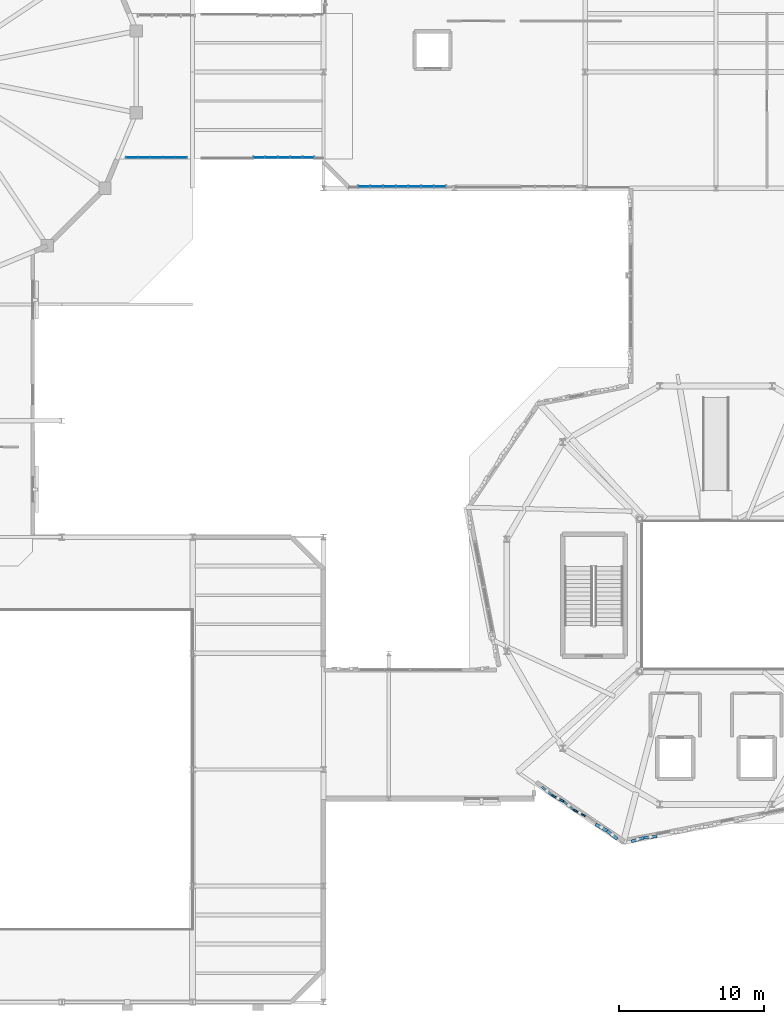
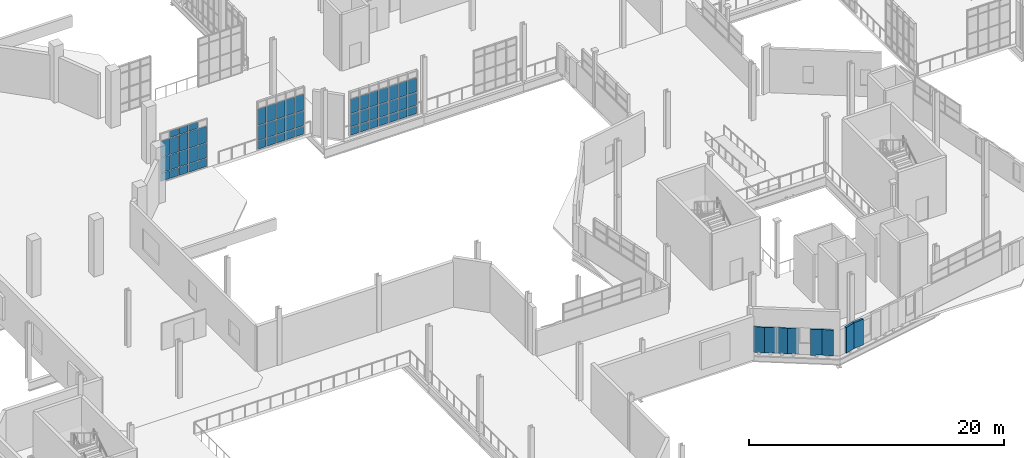
# One storey, part 104 of 142: 62 plates, 3 elements without a shape of their own.
"""IFC4 building model written with IfcOpenShell, lengths in metres."""

from ifc_helpers import new_model, si_unit, direction, frame, frame_2d, origin, origin_2d, place, context, subcontext, project, spatial, rectangle, extrude, material, layer, layer_set, type_object, element, aggregate, save


model = new_model("IFC4")

# Units and contexts
model_context = context("Model", 3, precision=1e-05, world=origin(), true_north=direction((0.0, 1.0)))
body_context = subcontext(model_context, "Body", "Model", "MODEL_VIEW")
ifc_project = project(units=[si_unit("LENGTHUNIT", "METRE"), si_unit("AREAUNIT", "SQUARE_METRE"), si_unit("VOLUMEUNIT", "CUBIC_METRE"), si_unit("PLANEANGLEUNIT", "RADIAN"), si_unit("MASSUNIT", "GRAM", prefix="KILO"), si_unit("THERMODYNAMICTEMPERATUREUNIT", "KELVIN"), si_unit("POWERUNIT", "WATT")], contexts=[model_context])

# Site, building, storey
site_placement = place(None, origin())
site = spatial("IfcSite", under=ifc_project, at=site_placement, CompositionType="ELEMENT")
building_placement = place(site_placement, origin())
building = spatial("IfcBuilding", under=site, at=building_placement, Name="Zelmaris Science Centre", CompositionType="ELEMENT")
storey_placement = place(building_placement, frame((0.0, 0.0, 5.39990234375)))
storey = spatial("IfcBuildingStorey", under=building, at=storey_placement, Name="L01", CompositionType="ELEMENT", Elevation=5.39990234375)

# Curtain wall, plates
ifc_material_1 = material(Name="Anodised architectural aluminium 6063-T6", Category="aluminium")
ifc_layer_1 = layer(ifc_material_1, 0.18994140625, Name="Anodised architectural aluminium 6063-T6")
ifc_layer_set_1 = layer_set([ifc_layer_1], Name="Anodised architectural aluminium 6063-T6")
curtain_wall_type_1 = type_object("IfcCurtainWallType", Name="Curtain Wall CW-01", PredefinedType="USERDEFINED", material=ifc_layer_set_1)
curtain_wall_1_placement = place(storey_placement, origin())
curtain_wall_1 = element("IfcCurtainWall", 1, at=curtain_wall_1_placement, inside=storey, type_object=curtain_wall_type_1, Name="L01 Unitised curtain wall 197", ObjectType="GLAZED CURTAIN WALL", PredefinedType="USERDEFINED")
ifc_material_2 = material(Name="Laminated hurricane-rated low-E insulated glazing", Category="glass")
ifc_layer_2 = layer(ifc_material_2, 0.031982421875, Name="Laminated hurricane-rated low-E insulated glazing")
ifc_layer_set_2 = layer_set([ifc_layer_2], Name="Laminated hurricane-rated low-E insulated glazing")
plate_type_1 = type_object("IfcPlateType", Name="Curtain Glazing Panel CWP-1 32mm", PredefinedType="CURTAIN_PANEL", material=ifc_layer_set_2)
plate_1_placement = place(storey_placement, frame((62.0048828125, 64.1142578125, 0.05712890625), z_axis=(0.0, 0.0, 1.0), x_axis=(-0.999999566273, 0.000931372149, 0.0)))
plate_1 = element("IfcPlate", 2, at=plate_1_placement, type_object=plate_type_1, Name="CW-01 panel 1.1", PredefinedType="CURTAIN_PANEL", context=body_context, shape_type="SweptSolid", body=[
    extrude(rectangle(XDim=0.766357421875, YDim=0.031982421875, at=origin_2d()), origin(), (0.0, 0.0, 1.0), 0.741943359375),
])
plate_2_placement = place(storey_placement, frame((62.0048828125, 64.1142578125, 0.87109375), z_axis=(0.0, 0.0, 1.0), x_axis=(-0.999999566273, 0.000931372149, 0.0)))
plate_2 = element("IfcPlate", 3, at=plate_2_placement, type_object=plate_type_1, Name="CW-01 panel 1.2", PredefinedType="CURTAIN_PANEL", context=body_context, shape_type="SweptSolid", body=[
    extrude(rectangle(XDim=0.766357421875, YDim=0.031982421875, at=origin_2d()), origin(), (0.0, 0.0, 1.0), 1.20751953125),
])
plate_3_placement = place(storey_placement, frame((62.0048828125, 64.1142578125, 2.150634765625), z_axis=(0.0, 0.0, 1.0), x_axis=(-0.999999566273, 0.000931372149, 0.0)))
plate_3 = element("IfcPlate", 4, at=plate_3_placement, type_object=plate_type_1, Name="CW-01 panel 1.3", PredefinedType="CURTAIN_PANEL", context=body_context, shape_type="SweptSolid", body=[
    extrude(rectangle(XDim=0.766357421875, YDim=0.031982421875, at=origin_2d()), origin(), (0.0, 0.0, 1.0), 1.357421875),
])
plate_4_placement = place(storey_placement, frame((61.148681640625, 64.115234375, 0.05712890625), z_axis=(0.0, 0.0, 1.0), x_axis=(-0.999999566273, 0.000931372149, 0.0)))
plate_4 = element("IfcPlate", 5, at=plate_4_placement, type_object=plate_type_1, Name="CW-01 panel 2.1", PredefinedType="CURTAIN_PANEL", context=body_context, shape_type="SweptSolid", body=[
    extrude(rectangle(XDim=0.80224609375, YDim=0.031982421875, at=origin_2d()), origin(), (0.0, 0.0, 1.0), 0.741943359375),
])
plate_5_placement = place(storey_placement, frame((61.148681640625, 64.115234375, 0.87109375), z_axis=(0.0, 0.0, 1.0), x_axis=(-0.999999566273, 0.000931372149, 0.0)))
plate_5 = element("IfcPlate", 6, at=plate_5_placement, type_object=plate_type_1, Name="CW-01 panel 2.2", PredefinedType="CURTAIN_PANEL", context=body_context, shape_type="SweptSolid", body=[
    extrude(rectangle(XDim=0.80224609375, YDim=0.031982421875, at=origin_2d()), origin(), (0.0, 0.0, 1.0), 1.20751953125),
])
plate_6_placement = place(storey_placement, frame((61.148681640625, 64.115234375, 2.150634765625), z_axis=(0.0, 0.0, 1.0), x_axis=(-0.999999566273, 0.000931372149, 0.0)))
plate_6 = element("IfcPlate", 7, at=plate_6_placement, type_object=plate_type_1, Name="CW-01 panel 2.3", PredefinedType="CURTAIN_PANEL", context=body_context, shape_type="SweptSolid", body=[
    extrude(rectangle(XDim=0.80224609375, YDim=0.031982421875, at=origin_2d()), origin(), (0.0, 0.0, 1.0), 1.357421875),
])
plate_7_placement = place(storey_placement, frame((60.2744140625, 64.115966796875, 0.05712890625), z_axis=(0.0, 0.0, 1.0), x_axis=(-0.999999566273, 0.000931372149, 0.0)))
plate_7 = element("IfcPlate", 8, at=plate_7_placement, type_object=plate_type_1, Name="CW-01 panel 3.1", PredefinedType="CURTAIN_PANEL", context=body_context, shape_type="SweptSolid", body=[
    extrude(rectangle(XDim=0.80224609375, YDim=0.031982421875, at=origin_2d()), origin(), (0.0, 0.0, 1.0), 0.741943359375),
])
plate_8_placement = place(storey_placement, frame((60.2744140625, 64.115966796875, 0.87109375), z_axis=(0.0, 0.0, 1.0), x_axis=(-0.999999566273, 0.000931372149, 0.0)))
plate_8 = element("IfcPlate", 9, at=plate_8_placement, type_object=plate_type_1, Name="CW-01 panel 3.2", PredefinedType="CURTAIN_PANEL", context=body_context, shape_type="SweptSolid", body=[
    extrude(rectangle(XDim=0.80224609375, YDim=0.031982421875, at=origin_2d()), origin(), (0.0, 0.0, 1.0), 1.20751953125),
])
plate_9_placement = place(storey_placement, frame((60.2744140625, 64.115966796875, 2.150634765625), z_axis=(0.0, 0.0, 1.0), x_axis=(-0.999999566273, 0.000931372149, 0.0)))
plate_9 = element("IfcPlate", 10, at=plate_9_placement, type_object=plate_type_1, Name="CW-01 panel 3.3", PredefinedType="CURTAIN_PANEL", context=body_context, shape_type="SweptSolid", body=[
    extrude(rectangle(XDim=0.80224609375, YDim=0.031982421875, at=origin_2d()), origin(), (0.0, 0.0, 1.0), 1.357421875),
])
plate_10_placement = place(storey_placement, frame((59.400146484375, 64.11669921875, 0.05712890625), z_axis=(0.0, 0.0, 1.0), x_axis=(-0.999999566273, 0.000931372149, 0.0)))
plate_10 = element("IfcPlate", 11, at=plate_10_placement, type_object=plate_type_1, Name="CW-01 panel 4.1", PredefinedType="CURTAIN_PANEL", context=body_context, shape_type="SweptSolid", body=[
    extrude(rectangle(XDim=0.80224609375, YDim=0.031982421875, at=origin_2d()), origin(), (0.0, 0.0, 1.0), 0.741943359375),
])
plate_11_placement = place(storey_placement, frame((59.400146484375, 64.11669921875, 0.87109375), z_axis=(0.0, 0.0, 1.0), x_axis=(-0.999999566273, 0.000931372149, 0.0)))
plate_11 = element("IfcPlate", 12, at=plate_11_placement, type_object=plate_type_1, Name="CW-01 panel 4.2", PredefinedType="CURTAIN_PANEL", context=body_context, shape_type="SweptSolid", body=[
    extrude(rectangle(XDim=0.80224609375, YDim=0.031982421875, at=origin_2d()), origin(), (0.0, 0.0, 1.0), 1.20751953125),
])
plate_12_placement = place(storey_placement, frame((59.400146484375, 64.11669921875, 2.150634765625), z_axis=(0.0, 0.0, 1.0), x_axis=(-0.999999566273, 0.000931372149, 0.0)))
plate_12 = element("IfcPlate", 13, at=plate_12_placement, type_object=plate_type_1, Name="CW-01 panel 4.3", PredefinedType="CURTAIN_PANEL", context=body_context, shape_type="SweptSolid", body=[
    extrude(rectangle(XDim=0.80224609375, YDim=0.031982421875, at=origin_2d()), origin(), (0.0, 0.0, 1.0), 1.357421875),
])
plate_13_placement = place(storey_placement, frame((58.52587890625, 64.11767578125, 0.05712890625), z_axis=(0.0, 0.0, 1.0), x_axis=(-0.999999566273, 0.000931372149, 0.0)))
plate_13 = element("IfcPlate", 14, at=plate_13_placement, type_object=plate_type_1, Name="CW-01 panel 5.1", PredefinedType="CURTAIN_PANEL", context=body_context, shape_type="SweptSolid", body=[
    extrude(rectangle(XDim=0.80224609375, YDim=0.031982421875, at=origin_2d()), origin(), (0.0, 0.0, 1.0), 0.741943359375),
])
plate_14_placement = place(storey_placement, frame((58.52587890625, 64.11767578125, 0.87109375), z_axis=(0.0, 0.0, 1.0), x_axis=(-0.999999566273, 0.000931372149, 0.0)))
plate_14 = element("IfcPlate", 15, at=plate_14_placement, type_object=plate_type_1, Name="CW-01 panel 5.2", PredefinedType="CURTAIN_PANEL", context=body_context, shape_type="SweptSolid", body=[
    extrude(rectangle(XDim=0.80224609375, YDim=0.031982421875, at=origin_2d()), origin(), (0.0, 0.0, 1.0), 1.20751953125),
])
plate_15_placement = place(storey_placement, frame((58.52587890625, 64.11767578125, 2.150634765625), z_axis=(0.0, 0.0, 1.0), x_axis=(-0.999999566273, 0.000931372149, 0.0)))
plate_15 = element("IfcPlate", 16, at=plate_15_placement, type_object=plate_type_1, Name="CW-01 panel 5.3", PredefinedType="CURTAIN_PANEL", context=body_context, shape_type="SweptSolid", body=[
    extrude(rectangle(XDim=0.80224609375, YDim=0.031982421875, at=origin_2d()), origin(), (0.0, 0.0, 1.0), 1.357421875),
])
plate_16_placement = place(storey_placement, frame((57.651611328125, 64.118408203125, 0.05712890625), z_axis=(0.0, 0.0, 1.0), x_axis=(-0.999999566273, 0.000931372149, 0.0)))
plate_16 = element("IfcPlate", 17, at=plate_16_placement, type_object=plate_type_1, Name="CW-01 panel 6.1", PredefinedType="CURTAIN_PANEL", context=body_context, shape_type="SweptSolid", body=[
    extrude(rectangle(XDim=0.80224609375, YDim=0.031982421875, at=origin_2d()), origin(), (0.0, 0.0, 1.0), 0.741943359375),
])
plate_17_placement = place(storey_placement, frame((57.651611328125, 64.118408203125, 0.87109375), z_axis=(0.0, 0.0, 1.0), x_axis=(-0.999999566273, 0.000931372149, 0.0)))
plate_17 = element("IfcPlate", 18, at=plate_17_placement, type_object=plate_type_1, Name="CW-01 panel 6.2", PredefinedType="CURTAIN_PANEL", context=body_context, shape_type="SweptSolid", body=[
    extrude(rectangle(XDim=0.80224609375, YDim=0.031982421875, at=origin_2d()), origin(), (0.0, 0.0, 1.0), 1.20751953125),
])
plate_18_placement = place(storey_placement, frame((57.651611328125, 64.118408203125, 2.150634765625), z_axis=(0.0, 0.0, 1.0), x_axis=(-0.999999566273, 0.000931372149, 0.0)))
plate_18 = element("IfcPlate", 19, at=plate_18_placement, type_object=plate_type_1, Name="CW-01 panel 6.3", PredefinedType="CURTAIN_PANEL", context=body_context, shape_type="SweptSolid", body=[
    extrude(rectangle(XDim=0.80224609375, YDim=0.031982421875, at=origin_2d()), origin(), (0.0, 0.0, 1.0), 1.357421875),
])
plate_19_placement = place(storey_placement, frame((56.795166015625, 64.119140625, 0.05712890625), z_axis=(0.0, 0.0, 1.0), x_axis=(-0.999999566273, 0.000931372149, 0.0)))
plate_19 = element("IfcPlate", 20, at=plate_19_placement, type_object=plate_type_1, Name="CW-01 panel 7.1", PredefinedType="CURTAIN_PANEL", context=body_context, shape_type="SweptSolid", body=[
    extrude(rectangle(XDim=0.766357421875, YDim=0.031982421875, at=origin_2d()), origin(), (0.0, 0.0, 1.0), 0.741943359375),
])
plate_20_placement = place(storey_placement, frame((56.795166015625, 64.119140625, 0.87109375), z_axis=(0.0, 0.0, 1.0), x_axis=(-0.999999566273, 0.000931372149, 0.0)))
plate_20 = element("IfcPlate", 21, at=plate_20_placement, type_object=plate_type_1, Name="CW-01 panel 7.2", PredefinedType="CURTAIN_PANEL", context=body_context, shape_type="SweptSolid", body=[
    extrude(rectangle(XDim=0.766357421875, YDim=0.031982421875, at=origin_2d()), origin(), (0.0, 0.0, 1.0), 1.20751953125),
])
plate_21_placement = place(storey_placement, frame((56.795166015625, 64.119140625, 2.150634765625), z_axis=(0.0, 0.0, 1.0), x_axis=(-0.999999566273, 0.000931372149, 0.0)))
plate_21 = element("IfcPlate", 22, at=plate_21_placement, type_object=plate_type_1, Name="CW-01 panel 7.3", PredefinedType="CURTAIN_PANEL", context=body_context, shape_type="SweptSolid", body=[
    extrude(rectangle(XDim=0.766357421875, YDim=0.031982421875, at=origin_2d()), origin(), (0.0, 0.0, 1.0), 1.357421875),
])
aggregate(curtain_wall_1, [plate_1, plate_2, plate_3, plate_4, plate_5, plate_6, plate_7, plate_8, plate_9, plate_10, plate_11, plate_12, plate_13, plate_14, plate_15, plate_16, plate_17, plate_18, plate_19, plate_20, plate_21])

ifc_layer_3 = layer(ifc_material_1, 0.199951171875, Name="Anodised architectural aluminium 6063-T6")
ifc_layer_set_3 = layer_set([ifc_layer_3], Name="Anodised architectural aluminium 6063-T6")
curtain_wall_type_2 = type_object("IfcCurtainWallType", Name="Curtain Wall CW-02", PredefinedType="USERDEFINED", material=ifc_layer_set_3)
curtain_wall_2_placement = place(storey_placement, origin())
curtain_wall_2 = element("IfcCurtainWall", 23, at=curtain_wall_2_placement, inside=storey, type_object=curtain_wall_type_2, Name="L01 Unitised curtain wall 198", ObjectType="GLAZED CURTAIN WALL", PredefinedType="USERDEFINED")
ifc_layer_4 = layer(ifc_material_2, 0.028076171875, Name="Laminated hurricane-rated low-E insulated glazing")
ifc_layer_set_4 = layer_set([ifc_layer_4], Name="Laminated hurricane-rated low-E insulated glazing")
plate_type_2 = type_object("IfcPlateType", Name="Curtain Glazing Panel CWP-2 28mm", PredefinedType="CURTAIN_PANEL", material=ifc_layer_set_4)
plate_22_placement = place(storey_placement, frame((52.962890625, 66.11962890625, 0.052001953125), z_axis=(0.0, 0.0, 1.0), x_axis=(-1.0, 0.0, 0.0)))
plate_22 = element("IfcPlate", 24, at=plate_22_placement, type_object=plate_type_2, Name="CW-02 panel 1.1", PredefinedType="CURTAIN_PANEL", context=body_context, shape_type="SweptSolid", body=[
    extrude(rectangle(XDim=0.752197265625, YDim=0.028076171875, at=origin_2d()), origin(), (0.0, 0.0, 1.0), 0.74951171875),
])
plate_23_placement = place(storey_placement, frame((52.962890625, 66.11962890625, 0.86865234375), z_axis=(0.0, 0.0, 1.0), x_axis=(-1.0, 0.0, 0.0)))
plate_23 = element("IfcPlate", 25, at=plate_23_placement, type_object=plate_type_2, Name="CW-02 panel 1.2", PredefinedType="CURTAIN_PANEL", context=body_context, shape_type="SweptSolid", body=[
    extrude(rectangle(XDim=0.752197265625, YDim=0.028076171875, at=origin_2d()), origin(), (0.0, 0.0, 1.0), 1.400390625),
])
plate_24_placement = place(storey_placement, frame((52.962890625, 66.11962890625, 2.3359375), z_axis=(0.0, 0.0, 1.0), x_axis=(-1.0, 0.0, 0.0)))
plate_24 = element("IfcPlate", 26, at=plate_24_placement, type_object=plate_type_2, Name="CW-02 panel 1.3", PredefinedType="CURTAIN_PANEL", context=body_context, shape_type="SweptSolid", body=[
    extrude(rectangle(XDim=0.752197265625, YDim=0.028076171875, at=origin_2d()), origin(), (0.0, 0.0, 1.0), 1.550537109375),
])
plate_25_placement = place(storey_placement, frame((52.126953125, 66.11962890625, 0.052001953125), z_axis=(0.0, 0.0, 1.0), x_axis=(-1.0, 0.0, 0.0)))
plate_25 = element("IfcPlate", 27, at=plate_25_placement, type_object=plate_type_2, Name="CW-02 panel 2.1", PredefinedType="CURTAIN_PANEL", context=body_context, shape_type="SweptSolid", body=[
    extrude(rectangle(XDim=0.78564453125, YDim=0.028076171875, at=origin_2d()), origin(), (0.0, 0.0, 1.0), 0.74951171875),
])
plate_26_placement = place(storey_placement, frame((52.126953125, 66.11962890625, 0.86865234375), z_axis=(0.0, 0.0, 1.0), x_axis=(-1.0, 0.0, 0.0)))
plate_26 = element("IfcPlate", 28, at=plate_26_placement, type_object=plate_type_2, Name="CW-02 panel 2.2", PredefinedType="CURTAIN_PANEL", context=body_context, shape_type="SweptSolid", body=[
    extrude(rectangle(XDim=0.78564453125, YDim=0.028076171875, at=origin_2d()), origin(), (0.0, 0.0, 1.0), 1.400390625),
])
plate_27_placement = place(storey_placement, frame((52.126953125, 66.11962890625, 2.3359375), z_axis=(0.0, 0.0, 1.0), x_axis=(-1.0, 0.0, 0.0)))
plate_27 = element("IfcPlate", 29, at=plate_27_placement, type_object=plate_type_2, Name="CW-02 panel 2.3", PredefinedType="CURTAIN_PANEL", context=body_context, shape_type="SweptSolid", body=[
    extrude(rectangle(XDim=0.78564453125, YDim=0.028076171875, at=origin_2d()), origin(), (0.0, 0.0, 1.0), 1.550537109375),
])
plate_28_placement = place(storey_placement, frame((51.274169921875, 66.11962890625, 0.052001953125), z_axis=(0.0, 0.0, 1.0), x_axis=(-1.0, 0.0, 0.0)))
plate_28 = element("IfcPlate", 30, at=plate_28_placement, type_object=plate_type_2, Name="CW-02 panel 3.1", PredefinedType="CURTAIN_PANEL", context=body_context, shape_type="SweptSolid", body=[
    extrude(rectangle(XDim=0.78564453125, YDim=0.028076171875, at=origin_2d()), origin(), (0.0, 0.0, 1.0), 0.74951171875),
])
plate_29_placement = place(storey_placement, frame((51.274169921875, 66.11962890625, 0.86865234375), z_axis=(0.0, 0.0, 1.0), x_axis=(-1.0, 0.0, 0.0)))
plate_29 = element("IfcPlate", 31, at=plate_29_placement, type_object=plate_type_2, Name="CW-02 panel 3.2", PredefinedType="CURTAIN_PANEL", context=body_context, shape_type="SweptSolid", body=[
    extrude(rectangle(XDim=0.78564453125, YDim=0.028076171875, at=origin_2d()), origin(), (0.0, 0.0, 1.0), 1.400390625),
])
plate_30_placement = place(storey_placement, frame((51.274169921875, 66.11962890625, 2.3359375), z_axis=(0.0, 0.0, 1.0), x_axis=(-1.0, 0.0, 0.0)))
plate_30 = element("IfcPlate", 32, at=plate_30_placement, type_object=plate_type_2, Name="CW-02 panel 3.3", PredefinedType="CURTAIN_PANEL", context=body_context, shape_type="SweptSolid", body=[
    extrude(rectangle(XDim=0.78564453125, YDim=0.028076171875, at=origin_2d()), origin(), (0.0, 0.0, 1.0), 1.550537109375),
])
plate_31_placement = place(storey_placement, frame((50.421630859375, 66.11962890625, 0.052001953125), z_axis=(0.0, 0.0, 1.0), x_axis=(-1.0, 0.0, 0.0)))
plate_31 = element("IfcPlate", 33, at=plate_31_placement, type_object=plate_type_2, Name="CW-02 panel 4.1", PredefinedType="CURTAIN_PANEL", context=body_context, shape_type="SweptSolid", body=[
    extrude(rectangle(XDim=0.78564453125, YDim=0.028076171875, at=origin_2d()), origin(), (0.0, 0.0, 1.0), 0.74951171875),
])
plate_32_placement = place(storey_placement, frame((50.421630859375, 66.11962890625, 0.86865234375), z_axis=(0.0, 0.0, 1.0), x_axis=(-1.0, 0.0, 0.0)))
plate_32 = element("IfcPlate", 34, at=plate_32_placement, type_object=plate_type_2, Name="CW-02 panel 4.2", PredefinedType="CURTAIN_PANEL", context=body_context, shape_type="SweptSolid", body=[
    extrude(rectangle(XDim=0.78564453125, YDim=0.028076171875, at=origin_2d()), origin(), (0.0, 0.0, 1.0), 1.400390625),
])
plate_33_placement = place(storey_placement, frame((50.421630859375, 66.11962890625, 2.3359375), z_axis=(0.0, 0.0, 1.0), x_axis=(-1.0, 0.0, 0.0)))
plate_33 = element("IfcPlate", 35, at=plate_33_placement, type_object=plate_type_2, Name="CW-02 panel 4.3", PredefinedType="CURTAIN_PANEL", context=body_context, shape_type="SweptSolid", body=[
    extrude(rectangle(XDim=0.78564453125, YDim=0.028076171875, at=origin_2d()), origin(), (0.0, 0.0, 1.0), 1.550537109375),
])
plate_34_placement = place(storey_placement, frame((49.585693359375, 66.11962890625, 0.052001953125), z_axis=(0.0, 0.0, 1.0), x_axis=(-1.0, 0.0, 0.0)))
plate_34 = element("IfcPlate", 36, at=plate_34_placement, type_object=plate_type_2, Name="CW-02 panel 5.1", PredefinedType="CURTAIN_PANEL", context=body_context, shape_type="SweptSolid", body=[
    extrude(rectangle(XDim=0.752197265625, YDim=0.028076171875, at=origin_2d()), origin(), (0.0, 0.0, 1.0), 0.74951171875),
])
plate_35_placement = place(storey_placement, frame((49.585693359375, 66.11962890625, 0.86865234375), z_axis=(0.0, 0.0, 1.0), x_axis=(-1.0, 0.0, 0.0)))
plate_35 = element("IfcPlate", 37, at=plate_35_placement, type_object=plate_type_2, Name="CW-02 panel 5.2", PredefinedType="CURTAIN_PANEL", context=body_context, shape_type="SweptSolid", body=[
    extrude(rectangle(XDim=0.752197265625, YDim=0.028076171875, at=origin_2d()), origin(), (0.0, 0.0, 1.0), 1.400390625),
])
plate_36_placement = place(storey_placement, frame((49.585693359375, 66.11962890625, 2.3359375), z_axis=(0.0, 0.0, 1.0), x_axis=(-1.0, 0.0, 0.0)))
plate_36 = element("IfcPlate", 38, at=plate_36_placement, type_object=plate_type_2, Name="CW-02 panel 5.3", PredefinedType="CURTAIN_PANEL", context=body_context, shape_type="SweptSolid", body=[
    extrude(rectangle(XDim=0.752197265625, YDim=0.028076171875, at=origin_2d()), origin(), (0.0, 0.0, 1.0), 1.550537109375),
])
aggregate(curtain_wall_2, [plate_22, plate_23, plate_24, plate_25, plate_26, plate_27, plate_28, plate_29, plate_30, plate_31, plate_32, plate_33, plate_34, plate_35, plate_36])

ifc_layer_5 = layer(ifc_material_1, 0.219970703125, Name="Anodised architectural aluminium 6063-T6")
ifc_layer_set_5 = layer_set([ifc_layer_5], Name="Anodised architectural aluminium 6063-T6")
curtain_wall_type_3 = type_object("IfcCurtainWallType", Name="Curtain Wall CW-04", PredefinedType="USERDEFINED", material=ifc_layer_set_5)
curtain_wall_3_placement = place(storey_placement, origin())
curtain_wall_3 = element("IfcCurtainWall", 39, at=curtain_wall_3_placement, inside=storey, type_object=curtain_wall_type_3, Name="L01 Unitised curtain wall 200", ObjectType="GLAZED CURTAIN WALL", PredefinedType="USERDEFINED")
ifc_layer_6 = layer(ifc_material_2, 0.02392578125, Name="Laminated hurricane-rated low-E insulated glazing")
ifc_layer_set_6 = layer_set([ifc_layer_6], Name="Laminated hurricane-rated low-E insulated glazing")
plate_type_3 = type_object("IfcPlateType", Name="Curtain Glazing Panel CWP-4 24mm", PredefinedType="CURTAIN_PANEL", material=ifc_layer_set_6)
plate_37_placement = place(storey_placement, frame((44.199951171875, 66.11962890625, 0.037109375), z_axis=(0.0, 0.0, 1.0), x_axis=(-1.0, 0.0, 0.0)))
plate_37 = element("IfcPlate", 40, at=plate_37_placement, type_object=plate_type_3, Name="CW-04 panel 1.1", PredefinedType="CURTAIN_PANEL", context=body_context, shape_type="SweptSolid", body=[
    extrude(rectangle(XDim=0.774658203125, YDim=0.02392578125, at=origin_2d()), origin(), (0.0, 0.0, 1.0), 0.77197265625),
])
plate_38_placement = place(storey_placement, frame((44.199951171875, 66.11962890625, 0.861083984375), z_axis=(0.0, 0.0, 1.0), x_axis=(-1.0, 0.0, 0.0)))
plate_38 = element("IfcPlate", 41, at=plate_38_placement, type_object=plate_type_3, Name="CW-04 panel 1.2", PredefinedType="CURTAIN_PANEL", context=body_context, shape_type="SweptSolid", body=[
    extrude(rectangle(XDim=0.774658203125, YDim=0.02392578125, at=origin_2d()), origin(), (0.0, 0.0, 1.0), 1.41552734375),
])
plate_39_placement = place(storey_placement, frame((44.199951171875, 66.11962890625, 2.32861328125), z_axis=(0.0, 0.0, 1.0), x_axis=(-1.0, 0.0, 0.0)))
plate_39 = element("IfcPlate", 42, at=plate_39_placement, type_object=plate_type_3, Name="CW-04 panel 1.3", PredefinedType="CURTAIN_PANEL", context=body_context, shape_type="SweptSolid", body=[
    extrude(rectangle(XDim=0.774658203125, YDim=0.02392578125, at=origin_2d()), origin(), (0.0, 0.0, 1.0), 1.5654296875),
])
plate_40_placement = place(storey_placement, frame((43.360107421875, 66.11962890625, 0.037109375), z_axis=(0.0, 0.0, 1.0), x_axis=(-1.0, 0.0, 0.0)))
plate_40 = element("IfcPlate", 43, at=plate_40_placement, type_object=plate_type_3, Name="CW-04 panel 2.1", PredefinedType="CURTAIN_PANEL", context=body_context, shape_type="SweptSolid", body=[
    extrude(rectangle(XDim=0.80078125, YDim=0.02392578125, at=origin_2d()), origin(), (0.0, 0.0, 1.0), 0.77197265625),
])
plate_41_placement = place(storey_placement, frame((43.360107421875, 66.11962890625, 0.861083984375), z_axis=(0.0, 0.0, 1.0), x_axis=(-1.0, 0.0, 0.0)))
plate_41 = element("IfcPlate", 44, at=plate_41_placement, type_object=plate_type_3, Name="CW-04 panel 2.2", PredefinedType="CURTAIN_PANEL", context=body_context, shape_type="SweptSolid", body=[
    extrude(rectangle(XDim=0.80078125, YDim=0.02392578125, at=origin_2d()), origin(), (0.0, 0.0, 1.0), 1.41552734375),
])
plate_42_placement = place(storey_placement, frame((43.360107421875, 66.11962890625, 2.32861328125), z_axis=(0.0, 0.0, 1.0), x_axis=(-1.0, 0.0, 0.0)))
plate_42 = element("IfcPlate", 45, at=plate_42_placement, type_object=plate_type_3, Name="CW-04 panel 2.3", PredefinedType="CURTAIN_PANEL", context=body_context, shape_type="SweptSolid", body=[
    extrude(rectangle(XDim=0.80078125, YDim=0.02392578125, at=origin_2d()), origin(), (0.0, 0.0, 1.0), 1.5654296875),
])
plate_43_placement = place(storey_placement, frame((43.360107421875, 66.11962890625, 3.946044921875), z_axis=(0.0, 0.0, 1.0), x_axis=(-1.0, 0.0, 0.0)))
plate_43 = element("IfcPlate", 46, at=plate_43_placement, type_object=plate_type_3, Name="CW-04 panel 2.4", PredefinedType="CURTAIN_PANEL", context=body_context, shape_type="SweptSolid", body=[
    extrude(rectangle(XDim=0.80078125, YDim=0.02392578125, at=origin_2d()), origin(), (0.0, 0.0, 1.0), 0.6220703125),
])
plate_44_placement = place(storey_placement, frame((42.507568359375, 66.11962890625, 0.037109375), z_axis=(0.0, 0.0, 1.0), x_axis=(-1.0, 0.0, 0.0)))
plate_44 = element("IfcPlate", 47, at=plate_44_placement, type_object=plate_type_3, Name="CW-04 panel 3.1", PredefinedType="CURTAIN_PANEL", context=body_context, shape_type="SweptSolid", body=[
    extrude(rectangle(XDim=0.80078125, YDim=0.02392578125, at=origin_2d()), origin(), (0.0, 0.0, 1.0), 0.77197265625),
])
plate_45_placement = place(storey_placement, frame((42.507568359375, 66.11962890625, 0.861083984375), z_axis=(0.0, 0.0, 1.0), x_axis=(-1.0, 0.0, 0.0)))
plate_45 = element("IfcPlate", 48, at=plate_45_placement, type_object=plate_type_3, Name="CW-04 panel 3.2", PredefinedType="CURTAIN_PANEL", context=body_context, shape_type="SweptSolid", body=[
    extrude(rectangle(XDim=0.80078125, YDim=0.02392578125, at=origin_2d()), origin(), (0.0, 0.0, 1.0), 1.41552734375),
])
plate_46_placement = place(storey_placement, frame((42.507568359375, 66.11962890625, 2.32861328125), z_axis=(0.0, 0.0, 1.0), x_axis=(-1.0, 0.0, 0.0)))
plate_46 = element("IfcPlate", 49, at=plate_46_placement, type_object=plate_type_3, Name="CW-04 panel 3.3", PredefinedType="CURTAIN_PANEL", context=body_context, shape_type="SweptSolid", body=[
    extrude(rectangle(XDim=0.80078125, YDim=0.02392578125, at=origin_2d()), origin(), (0.0, 0.0, 1.0), 1.5654296875),
])
plate_47_placement = place(storey_placement, frame((42.507568359375, 66.11962890625, 3.946044921875), z_axis=(0.0, 0.0, 1.0), x_axis=(-1.0, 0.0, 0.0)))
plate_47 = element("IfcPlate", 50, at=plate_47_placement, type_object=plate_type_3, Name="CW-04 panel 3.4", PredefinedType="CURTAIN_PANEL", context=body_context, shape_type="SweptSolid", body=[
    extrude(rectangle(XDim=0.80078125, YDim=0.02392578125, at=origin_2d()), origin(), (0.0, 0.0, 1.0), 0.6220703125),
])
plate_48_placement = place(storey_placement, frame((41.65478515625, 66.11962890625, 0.037109375), z_axis=(0.0, 0.0, 1.0), x_axis=(-1.0, 0.0, 0.0)))
plate_48 = element("IfcPlate", 51, at=plate_48_placement, type_object=plate_type_3, Name="CW-04 panel 4.1", PredefinedType="CURTAIN_PANEL", context=body_context, shape_type="SweptSolid", body=[
    extrude(rectangle(XDim=0.80078125, YDim=0.02392578125, at=origin_2d()), origin(), (0.0, 0.0, 1.0), 0.77197265625),
])
plate_49_placement = place(storey_placement, frame((41.65478515625, 66.11962890625, 0.861083984375), z_axis=(0.0, 0.0, 1.0), x_axis=(-1.0, 0.0, 0.0)))
plate_49 = element("IfcPlate", 52, at=plate_49_placement, type_object=plate_type_3, Name="CW-04 panel 4.2", PredefinedType="CURTAIN_PANEL", context=body_context, shape_type="SweptSolid", body=[
    extrude(rectangle(XDim=0.80078125, YDim=0.02392578125, at=origin_2d()), origin(), (0.0, 0.0, 1.0), 1.41552734375),
])
plate_50_placement = place(storey_placement, frame((41.65478515625, 66.11962890625, 2.32861328125), z_axis=(0.0, 0.0, 1.0), x_axis=(-1.0, 0.0, 0.0)))
plate_50 = element("IfcPlate", 53, at=plate_50_placement, type_object=plate_type_3, Name="CW-04 panel 4.3", PredefinedType="CURTAIN_PANEL", context=body_context, shape_type="SweptSolid", body=[
    extrude(rectangle(XDim=0.80078125, YDim=0.02392578125, at=origin_2d()), origin(), (0.0, 0.0, 1.0), 1.5654296875),
])
plate_51_placement = place(storey_placement, frame((41.65478515625, 66.11962890625, 3.946044921875), z_axis=(0.0, 0.0, 1.0), x_axis=(-1.0, 0.0, 0.0)))
plate_51 = element("IfcPlate", 54, at=plate_51_placement, type_object=plate_type_3, Name="CW-04 panel 4.4", PredefinedType="CURTAIN_PANEL", context=body_context, shape_type="SweptSolid", body=[
    extrude(rectangle(XDim=0.80078125, YDim=0.02392578125, at=origin_2d()), origin(), (0.0, 0.0, 1.0), 0.6220703125),
])
plate_52_placement = place(storey_placement, frame((40.815185546875, 66.11962890625, 0.037109375), z_axis=(0.0, 0.0, 1.0), x_axis=(-1.0, 0.0, 0.0)))
plate_52 = element("IfcPlate", 55, at=plate_52_placement, type_object=plate_type_3, Name="CW-04 panel 5.1", PredefinedType="CURTAIN_PANEL", context=body_context, shape_type="SweptSolid", body=[
    extrude(rectangle(XDim=0.774658203125, YDim=0.02392578125, at=origin_2d()), origin(), (0.0, 0.0, 1.0), 0.77197265625),
])
plate_53_placement = place(storey_placement, frame((40.815185546875, 66.11962890625, 0.861083984375), z_axis=(0.0, 0.0, 1.0), x_axis=(-1.0, 0.0, 0.0)))
plate_53 = element("IfcPlate", 56, at=plate_53_placement, type_object=plate_type_3, Name="CW-04 panel 5.2", PredefinedType="CURTAIN_PANEL", context=body_context, shape_type="SweptSolid", body=[
    extrude(rectangle(XDim=0.774658203125, YDim=0.02392578125, at=origin_2d()), origin(), (0.0, 0.0, 1.0), 1.41552734375),
])
plate_54_placement = place(storey_placement, frame((40.815185546875, 66.11962890625, 2.32861328125), z_axis=(0.0, 0.0, 1.0), x_axis=(-1.0, 0.0, 0.0)))
plate_54 = element("IfcPlate", 57, at=plate_54_placement, type_object=plate_type_3, Name="CW-04 panel 5.3", PredefinedType="CURTAIN_PANEL", context=body_context, shape_type="SweptSolid", body=[
    extrude(rectangle(XDim=0.774658203125, YDim=0.02392578125, at=origin_2d()), origin(), (0.0, 0.0, 1.0), 1.5654296875),
])
aggregate(curtain_wall_3, [plate_37, plate_38, plate_39, plate_40, plate_41, plate_42, plate_43, plate_44, plate_45, plate_46, plate_47, plate_48, plate_49, plate_50, plate_51, plate_52, plate_53, plate_54])

# Plates
ifc_material_3 = material(Name="Precast concrete C40/50", Category="concrete")
ifc_layer_7 = layer(ifc_material_3, 0.110107421875, Name="Precast concrete C40/50")
ifc_layer_set_7 = layer_set([ifc_layer_7], Name="Precast concrete C40/50")
plate_type_4 = type_object("IfcPlateType", Name="Precast Facet Panel FP-01 110mm", PredefinedType="SHEET", material=ifc_layer_set_7)
plate_55_placement = place(storey_placement, frame((72.013427734375, 20.800048828125, 0.02001953125), z_axis=(0.0, 0.0, 1.0), x_axis=(-0.882009036404, 0.471232490074, 0.0)))
element("IfcPlate", 58, at=plate_55_placement, inside=storey, type_object=plate_type_4, Name="L01 Folded precast facet panel 12", PredefinedType="SHEET", context=body_context, shape_type="SweptSolid", body=[
    extrude(rectangle(XDim=0.904541015625, YDim=0.110107421875, at=frame_2d((0.4521484375, 0.0))), origin(), (0.0, 0.0, 1.0), 2.4599609375),
])
ifc_layer_8 = layer(ifc_material_3, 0.1201171875, Name="Precast concrete C40/50")
ifc_layer_set_8 = layer_set([ifc_layer_8], Name="Precast concrete C40/50")
plate_type_5 = type_object("IfcPlateType", Name="Precast Facet Panel FP-02 120mm", PredefinedType="SHEET", material=ifc_layer_set_8)
plate_56_placement = place(storey_placement, frame((71.215576171875, 21.226318359375, 0.02001953125), z_axis=(0.0, 0.0, 1.0), x_axis=(-0.769016906552, 0.639228439165, 0.0)))
element("IfcPlate", 59, at=plate_56_placement, inside=storey, type_object=plate_type_5, Name="L01 Folded precast facet panel 13", PredefinedType="SHEET", context=body_context, shape_type="SweptSolid", body=[
    extrude(rectangle(XDim=0.90478515625, YDim=0.1201171875, at=frame_2d((0.452392578125, 0.0))), origin(), (0.0, 0.0, 1.0), 2.4599609375),
])
ifc_layer_9 = layer(ifc_material_3, 0.1298828125, Name="Precast concrete C40/50")
ifc_layer_set_9 = layer_set([ifc_layer_9], Name="Precast concrete C40/50")
plate_type_6 = type_object("IfcPlateType", Name="Precast Facet Panel FP-03 130mm", PredefinedType="SHEET", material=ifc_layer_set_9)
plate_57_placement = place(storey_placement, frame((70.519775390625, 21.8046875, 0.02001953125), z_axis=(0.0, 0.0, 1.0), x_axis=(-0.882181066687, 0.470910358326, 0.0)))
element("IfcPlate", 60, at=plate_57_placement, inside=storey, type_object=plate_type_6, Name="L01 Folded precast facet panel 14", PredefinedType="SHEET", context=body_context, shape_type="SweptSolid", body=[
    extrude(rectangle(XDim=0.90478515625, YDim=0.1298828125, at=frame_2d((0.452392578125, 0.0))), origin(), (0.0, 0.0, 1.0), 2.4599609375),
])
ifc_layer_10 = layer(ifc_material_3, 0.139892578125, Name="Precast concrete C40/50")
ifc_layer_set_10 = layer_set([ifc_layer_10], Name="Precast concrete C40/50")
plate_type_7 = type_object("IfcPlateType", Name="Precast Facet Panel FP-04 140mm", PredefinedType="SHEET", material=ifc_layer_set_10)
plate_58_placement = place(storey_placement, frame((69.7216796875, 22.230712890625, 0.02001953125), z_axis=(0.0, 0.0, 1.0), x_axis=(-0.768906615979, 0.639361099773, 0.0)))
element("IfcPlate", 61, at=plate_58_placement, inside=storey, type_object=plate_type_7, Name="L01 Folded precast facet panel 15", PredefinedType="SHEET", context=body_context, shape_type="SweptSolid", body=[
    extrude(rectangle(XDim=0.904541015625, YDim=0.139892578125, at=frame_2d((0.4521484375, 0.0))), origin(), (0.0, 0.0, 1.0), 2.4599609375),
])
ifc_layer_11 = layer(ifc_material_3, 0.18994140625, Name="Precast concrete C40/50")
ifc_layer_set_11 = layer_set([ifc_layer_11], Name="Precast concrete C40/50")
plate_type_8 = type_object("IfcPlateType", Name="Precast Facet Panel FP-09 190mm", PredefinedType="SHEET", material=ifc_layer_set_11)
plate_59_placement = place(storey_placement, frame((76.951904296875, 19.398681640625, 0.02001953125), z_axis=(0.0, 0.0, 1.0), x_axis=(-0.995928526987, -0.090146376155, 0.0)))
element("IfcPlate", 62, at=plate_59_placement, inside=storey, type_object=plate_type_8, Name="L01 Folded precast facet panel 8", PredefinedType="SHEET", context=body_context, shape_type="SweptSolid", body=[
    extrude(rectangle(XDim=0.904541015625, YDim=0.18994140625, at=frame_2d((0.4521484375, 0.0))), origin(), (0.0, 0.0, 1.0), 2.4599609375),
])
ifc_layer_12 = layer(ifc_material_3, 0.199951171875, Name="Precast concrete C40/50")
ifc_layer_set_12 = layer_set([ifc_layer_12], Name="Precast concrete C40/50")
plate_type_9 = type_object("IfcPlateType", Name="Precast Facet Panel FP-10 200mm", PredefinedType="SHEET", material=ifc_layer_set_12)
plate_60_placement = place(storey_placement, frame((76.051025390625, 19.317138671875, 0.02001953125), z_axis=(0.0, 0.0, 1.0), x_axis=(-0.957237501273, -0.289303242561, 0.0)))
element("IfcPlate", 63, at=plate_60_placement, inside=storey, type_object=plate_type_9, Name="L01 Folded precast facet panel 9", PredefinedType="SHEET", context=body_context, shape_type="SweptSolid", body=[
    extrude(rectangle(XDim=0.904541015625, YDim=0.199951171875, at=frame_2d((0.4521484375, 0.0))), origin(), (0.0, 0.0, 1.0), 2.4599609375),
])
ifc_layer_13 = layer(ifc_material_3, 0.2099609375, Name="Precast concrete C40/50")
ifc_layer_set_13 = layer_set([ifc_layer_13], Name="Precast concrete C40/50")
plate_type_10 = type_object("IfcPlateType", Name="Precast Facet Panel FP-11 210mm", PredefinedType="SHEET", material=ifc_layer_set_13)
plate_61_placement = place(storey_placement, frame((74.202880859375, 19.217529296875, 0.02001953125), z_axis=(0.0, 0.0, 1.0), x_axis=(-0.769149555463, 0.639068823627, 0.0)))
element("IfcPlate", 64, at=plate_61_placement, inside=storey, type_object=plate_type_10, Name="L01 Folded precast facet panel 10", PredefinedType="SHEET", context=body_context, shape_type="SweptSolid", body=[
    extrude(rectangle(XDim=0.904541015625, YDim=0.2099609375, at=frame_2d((0.4521484375, 0.0))), origin(), (0.0, 0.0, 1.0), 2.4599609375),
])
ifc_layer_14 = layer(ifc_material_3, 0.219970703125, Name="Precast concrete C40/50")
ifc_layer_set_14 = layer_set([ifc_layer_14], Name="Precast concrete C40/50")
plate_type_11 = type_object("IfcPlateType", Name="Precast Facet Panel FP-12 220mm", PredefinedType="SHEET", material=ifc_layer_set_14)
plate_62_placement = place(storey_placement, frame((73.507080078125, 19.795654296875, 0.02001953125), z_axis=(0.0, 0.0, 1.0), x_axis=(-0.882009036404, 0.471232490074, 0.0)))
element("IfcPlate", 65, at=plate_62_placement, inside=storey, type_object=plate_type_11, Name="L01 Folded precast facet panel 11", PredefinedType="SHEET", context=body_context, shape_type="SweptSolid", body=[
    extrude(rectangle(XDim=0.904541015625, YDim=0.219970703125, at=frame_2d((0.4521484375, 0.0))), origin(), (0.0, 0.0, 1.0), 2.4599609375),
])

save(model, "model.ifc")
